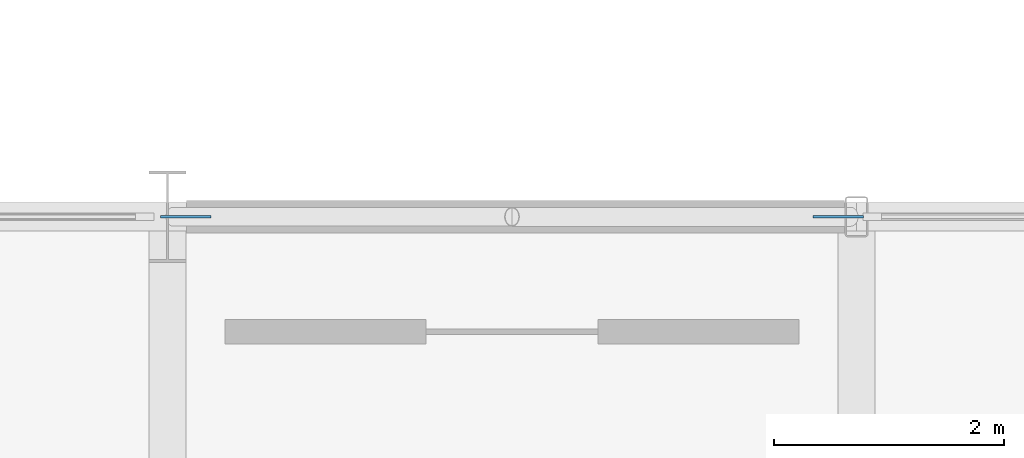
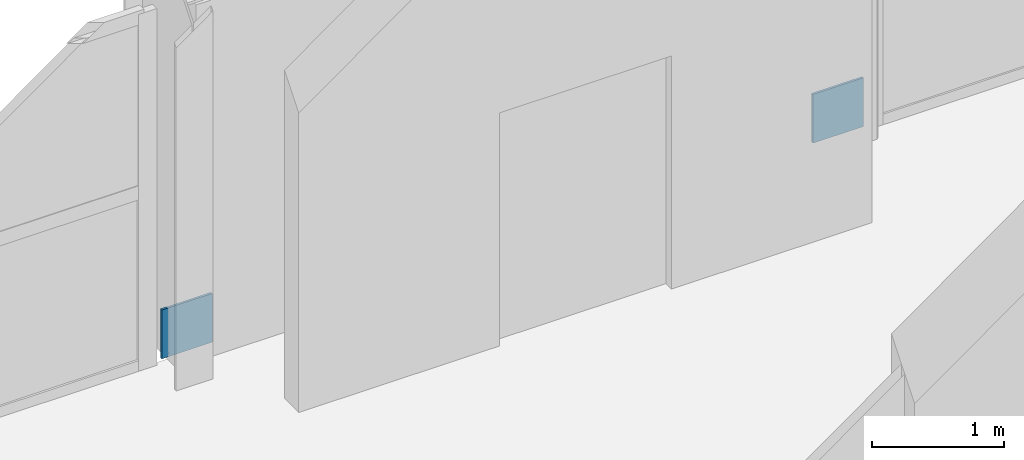
# One storey, part 101 of 116: 2 discrete accessories.
"""IFC4 building model written with IfcOpenShell, lengths in metres."""

from ifc_helpers import new_model, si_unit, direction, frame, origin, origin_2d, place, context, subcontext, project, spatial, rectangle, extrude, material, layer, layer_set, type_object, element, save


model = new_model("IFC4")

# Units and contexts
model_context = context("Model", 3, precision=1e-05, world=origin(), true_north=direction((0.0, 1.0)))
body_context = subcontext(model_context, "Body", "Model", "MODEL_VIEW")
ifc_project = project(units=[si_unit("LENGTHUNIT", "METRE"), si_unit("AREAUNIT", "SQUARE_METRE"), si_unit("VOLUMEUNIT", "CUBIC_METRE"), si_unit("PLANEANGLEUNIT", "RADIAN"), si_unit("MASSUNIT", "GRAM", prefix="KILO")], contexts=[model_context])

# Site, building, storey
site_placement = place(None, origin())
site = spatial("IfcSite", under=ifc_project, at=site_placement, CompositionType="ELEMENT")
building_placement = place(site_placement, origin())
building = spatial("IfcBuilding", under=site, at=building_placement, Name="Varnakota Square Police Headquarters", CompositionType="ELEMENT")
storey_placement = place(building_placement, frame((0.0, 0.0, 9.300048828125)))
storey = spatial("IfcBuildingStorey", under=building, at=storey_placement, Name="L02", CompositionType="ELEMENT", Elevation=9.300048828125)

# Discrete accessories
ifc_material = material(Name="Steel IS 2062 Grade 350", Category="steel")
ifc_layer = layer(ifc_material, 0.64990234375, Name="Steel IS 2062 Grade 350")
ifc_layer_set = layer_set([ifc_layer], Name="Steel IS 2062 Grade 350")
discrete_accessory_type = type_object("IfcDiscreteAccessoryType", Name="ACC-EMB-350", PredefinedType="BRACKET", material=ifc_layer_set)
for number, where, z_axis, x_axis, name in (
    (1, (126.159912109375, 15.0, 0.02490234375), (0.0, 0.0, 1.0), (1.0, 0.0, 0.0), "Brace gusset connection plate BF1 L02 L"),
    (2, (131.840087890625, 15.0, 0.02490234375), (0.0, 0.0, 1.0), (1.0, 0.0, 0.0), "Brace gusset connection plate BF1 L02 R"),
):
    element("IfcDiscreteAccessory", number, at=place(storey_placement, frame(where, z_axis=z_axis, x_axis=x_axis)), inside=storey, type_object=discrete_accessory_type, Name=name, PredefinedType="BRACKET", context=body_context, shape_type="SweptSolid", body=[
        extrude(rectangle(XDim=0.43994140625, YDim=0.02001953125, at=origin_2d()), origin(), (0.0, 0.0, 1.0), 0.449951171875),
    ])

save(model, "model.ifc")
